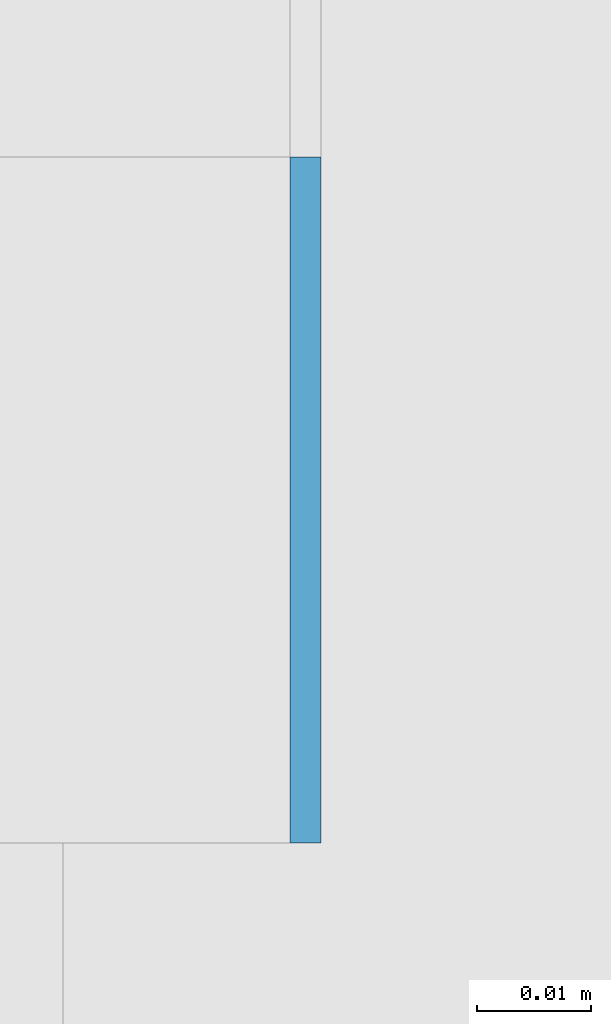
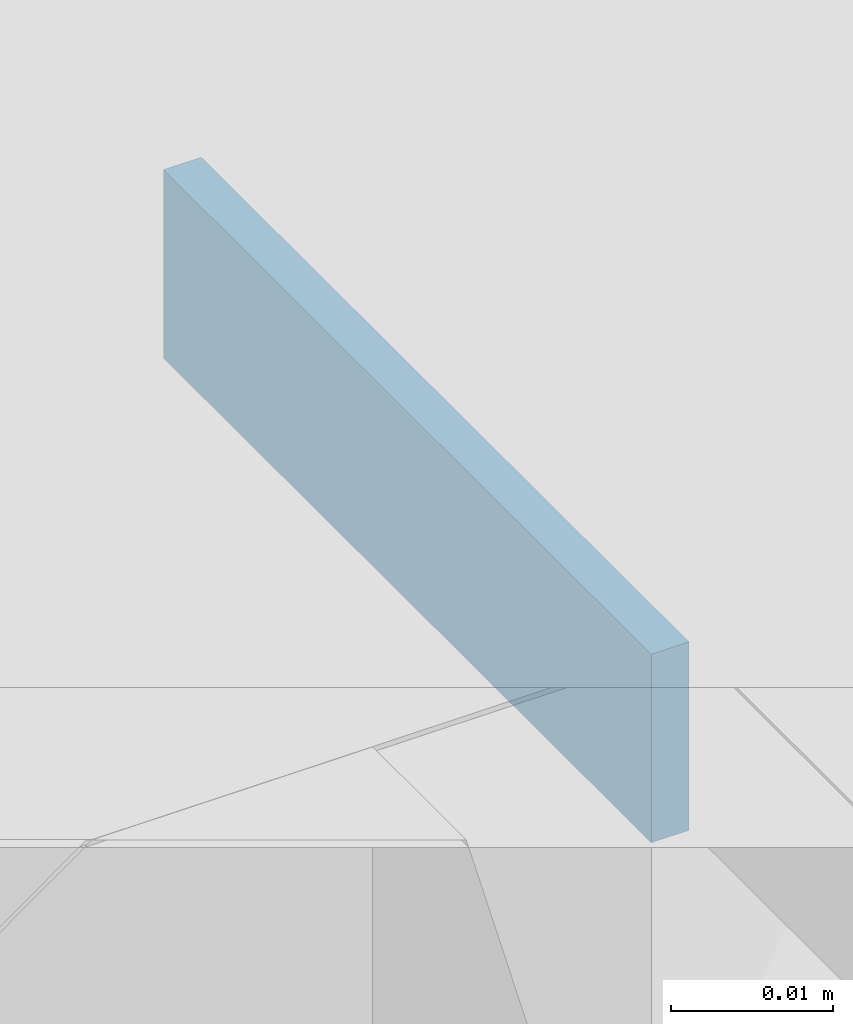
# One storey, part 315 of 646: 1 discrete accessory.
"""IFC4 building model written with IfcOpenShell, lengths in metres."""

from ifc_helpers import new_model, si_unit, direction, frame, origin, origin_2d, place, context, subcontext, project, spatial, rectangle, extrude, material, type_object, element, save


model = new_model("IFC4")

# Units and contexts
model_context = context("Model", 3, precision=1e-05, world=origin(), true_north=direction((0.0, 1.0)))
body_context = subcontext(model_context, "Body", "Model", "MODEL_VIEW")
ifc_project = project(units=[si_unit("LENGTHUNIT", "METRE"), si_unit("AREAUNIT", "SQUARE_METRE"), si_unit("VOLUMEUNIT", "CUBIC_METRE"), si_unit("PLANEANGLEUNIT", "RADIAN"), si_unit("MASSUNIT", "GRAM", prefix="KILO")], contexts=[model_context])

# Site, building, storey
site_placement = place(None, origin())
site = spatial("IfcSite", under=ifc_project, at=site_placement, CompositionType="ELEMENT")
building_placement = place(site_placement, origin())
building = spatial("IfcBuilding", under=site, at=building_placement, Name="Silverbay Arena", CompositionType="ELEMENT")
storey_placement = place(building_placement, frame((0.0, 0.0, 33.5)))
storey = spatial("IfcBuildingStorey", under=building, at=storey_placement, Name="L05", CompositionType="ELEMENT", Elevation=33.5)

# Discrete accessory
ifc_material = material(Name="Steel S355", Category="steel")
discrete_accessory_type = type_object("IfcDiscreteAccessoryType", Name="Steel bracket plate", PredefinedType="BRACKET", material=ifc_material)
discrete_accessory_placement = place(storey_placement, frame((53.871337890625, 71.969970703125, 12.98583984375), z_axis=(0.0, 0.0, 1.0), x_axis=(1.0, 0.0, 0.0)))
element("IfcDiscreteAccessory", 1, at=discrete_accessory_placement, inside=storey, type_object=discrete_accessory_type, Name="Curtain wall packing plate", PredefinedType="BRACKET", context=body_context, shape_type="SweptSolid", body=[
    extrude(rectangle(XDim=0.002685546875, YDim=0.06005859375, at=origin_2d()), origin(), (0.0, 0.0, 1.0), 0.01416015625),
])

save(model, "model.ifc")
